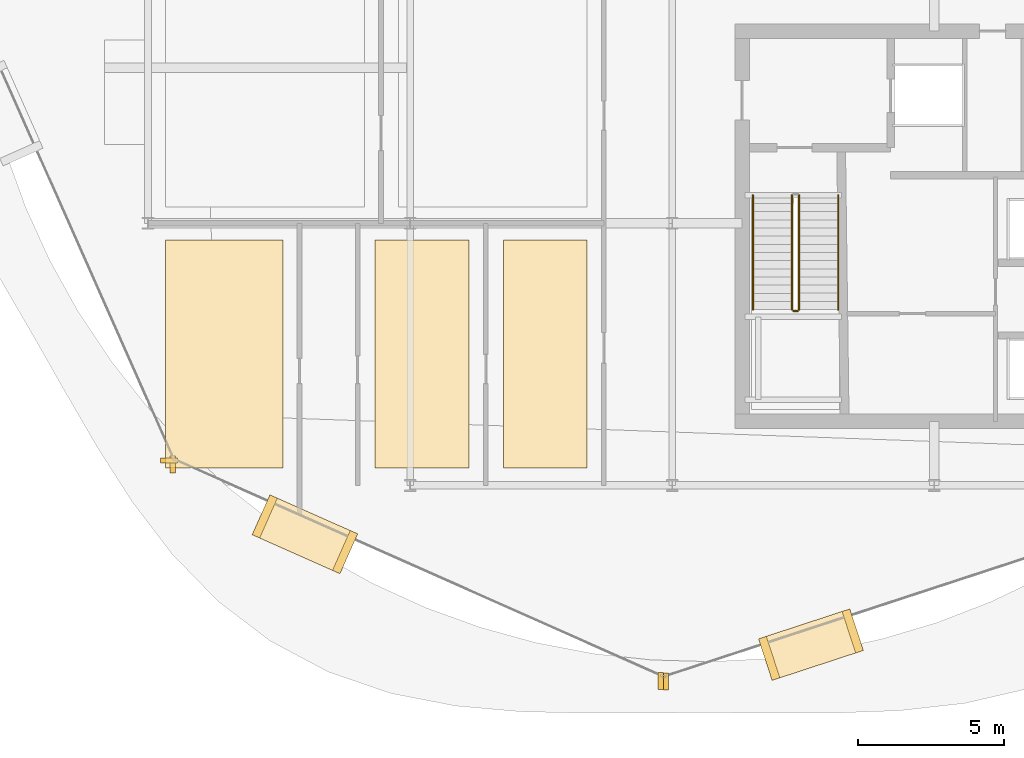
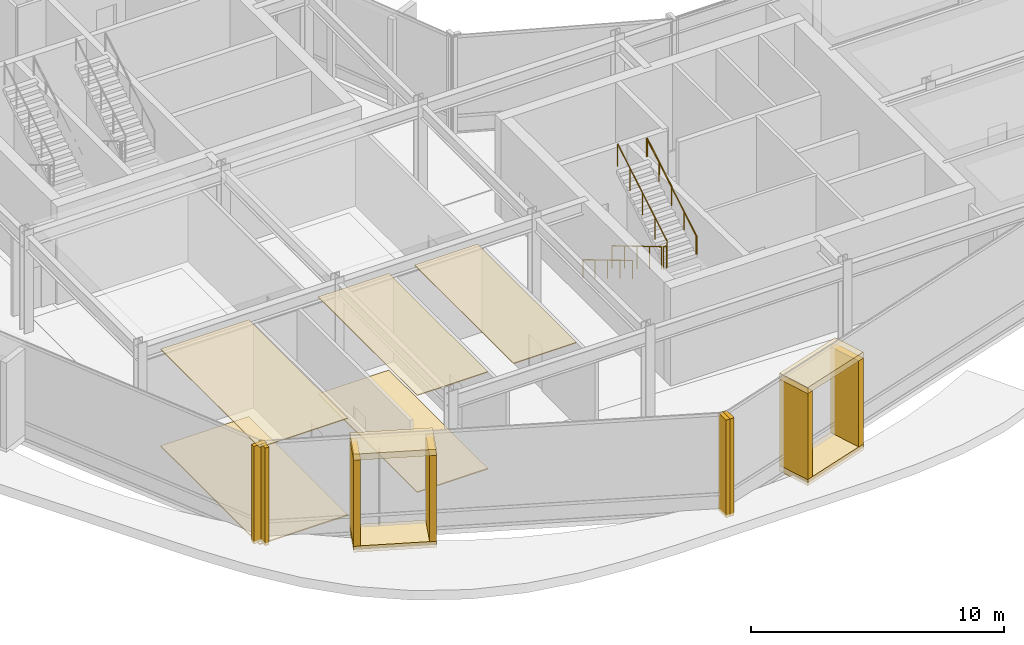
# One storey, part 23 of 28: 17 coverings, 5 railings.
"""IFC4 building model written with IfcOpenShell, lengths in metres."""

from ifc_helpers import new_model, si_unit, direction, frame, origin, origin_2d, place, context, subcontext, project, spatial, polyline, rectangle, circle, outline, extrude, material, layer, layer_set, type_object, element, save


model = new_model("IFC4")

# Units and contexts
model_context = context("Model", 3, precision=1e-05, world=origin(), true_north=direction((0.0, 1.0)))
body_context = subcontext(model_context, "Body", "Model", "MODEL_VIEW")
ifc_project = project(units=[si_unit("LENGTHUNIT", "METRE"), si_unit("AREAUNIT", "SQUARE_METRE"), si_unit("VOLUMEUNIT", "CUBIC_METRE"), si_unit("PLANEANGLEUNIT", "RADIAN"), si_unit("MASSUNIT", "GRAM", prefix="KILO")], contexts=[model_context])

# Site, building, storey
site_placement = place(None, origin())
site = spatial("IfcSite", under=ifc_project, at=site_placement, CompositionType="ELEMENT")
building_placement = place(site_placement, origin())
building = spatial("IfcBuilding", under=site, at=building_placement, Name="Solvaryn Broadcast Tower", CompositionType="ELEMENT")
storey_placement = place(building_placement, frame((0.0, 0.0, 201.199951171875)))
storey = spatial("IfcBuildingStorey", under=building, at=storey_placement, Name="L50", CompositionType="ELEMENT", Elevation=201.199951171875)

# Coverings
ifc_material_1 = material(Name="Micro-Perforated Acoustic Gypsum Ceiling", Category="concrete")
ifc_layer_1 = layer(ifc_material_1, 0.0400390625)
ifc_layer_set_1 = layer_set([ifc_layer_1], Name="CV-CEIL-ACOUSTIC")
covering_type_1 = type_object("IfcCoveringType", Name="CV-CEIL-ACOUSTIC", PredefinedType="CEILING", material=ifc_layer_set_1)
covering_1_placement = place(storey_placement, frame((0.0, 0.0, 4.679931640625)))
element("IfcCovering", 1, at=covering_1_placement, inside=storey, type_object=covering_type_1, Name="L50 Room Acoustic Ceiling 3", PredefinedType="CEILING", context=body_context, shape_type="SweptSolid", body=[
    extrude(outline(polyline([(9.60009765625, 9.60009765625), (13.6298828125, 9.60009765625), (13.6298828125, 17.429931640625), (9.60009765625, 17.429931640625), (9.60009765625, 9.60009765625)])), origin(), (0.0, 0.0, 1.0), 0.0400390625),
])
covering_2_placement = place(storey_placement, frame((0.0, 0.0, 4.679931640625)))
element("IfcCovering", 2, at=covering_2_placement, inside=storey, type_object=covering_type_1, Name="L50 Room Acoustic Ceiling 4", PredefinedType="CEILING", context=body_context, shape_type="SweptSolid", body=[
    extrude(outline(polyline([(16.800048828125, 9.60009765625), (20.030029296875, 9.60009765625), (20.030029296875, 17.429931640625), (16.800048828125, 17.429931640625), (16.800048828125, 9.60009765625)])), origin(), (0.0, 0.0, 1.0), 0.0400390625),
])
covering_3_placement = place(storey_placement, frame((0.0, 0.0, 4.679931640625)))
element("IfcCovering", 3, at=covering_3_placement, inside=storey, type_object=covering_type_1, Name="L50 Room Acoustic Ceiling 5", PredefinedType="CEILING", context=body_context, shape_type="SweptSolid", body=[
    extrude(outline(polyline([(21.199951171875, 9.60009765625), (24.080078125, 9.60009765625), (24.080078125, 17.429931640625), (21.199951171875, 17.429931640625), (21.199951171875, 9.60009765625)])), origin(), (0.0, 0.0, 1.0), 0.0400390625),
])
ifc_material_2 = material(Name="Newsroom Raised Data Access Flooring", Category="steel")
ifc_layer_2 = layer(ifc_material_2, 0.050048828125)
ifc_layer_set_2 = layer_set([ifc_layer_2], Name="CV-FLOOR-RAISED")
covering_type_2 = type_object("IfcCoveringType", Name="CV-FLOOR-RAISED", PredefinedType="FLOORING", material=ifc_layer_set_2)
covering_4_placement = place(storey_placement, origin())
element("IfcCovering", 4, at=covering_4_placement, inside=storey, type_object=covering_type_2, Name="L50 Room Acoustic Floor Finish 3", PredefinedType="FLOORING", context=body_context, shape_type="SweptSolid", body=[
    extrude(outline(polyline([(9.60009765625, 9.60009765625), (13.6298828125, 9.60009765625), (13.6298828125, 17.429931640625), (9.60009765625, 17.429931640625), (9.60009765625, 9.60009765625)])), origin(), (0.0, 0.0, 1.0), 0.050048828125),
])
covering_5_placement = place(storey_placement, origin())
element("IfcCovering", 5, at=covering_5_placement, inside=storey, type_object=covering_type_2, Name="L50 Room Acoustic Floor Finish 4", PredefinedType="FLOORING", context=body_context, shape_type="SweptSolid", body=[
    extrude(outline(polyline([(16.800048828125, 9.60009765625), (20.030029296875, 9.60009765625), (20.030029296875, 17.429931640625), (16.800048828125, 17.429931640625), (16.800048828125, 9.60009765625)])), origin(), (0.0, 0.0, 1.0), 0.050048828125),
])
ifc_material_3 = material(Name="Glazed Architectural Terracotta Rainscreen Cladding", Category="masonry")
ifc_layer_3 = layer(ifc_material_3, 0.280029296875)
ifc_layer_set_3 = layer_set([ifc_layer_3], Name="CV-TC-CLAD")
covering_type_3 = type_object("IfcCoveringType", Name="CV-TC-CLAD", PredefinedType="CLADDING", material=ifc_layer_set_3)
for number, where, z_axis, x_axis, name in (
    (6, (14.388916015625, 7.322998046875, 4.43017578125), (0.0, 0.0, 1.0), (0.913900054426, -0.405939269498, 0.0), "L50 Projecting Stone Window Box Hood 3"),
    (7, (14.388916015625, 7.322998046875, -0.009765625), (0.0, 0.0, 1.0), (0.913900054426, -0.405939269498, 0.0), "L50 Projecting Stone Window Box Sill 3"),
):
    element("IfcCovering", number, at=place(storey_placement, frame(where, z_axis=z_axis, x_axis=x_axis)), inside=storey, type_object=covering_type_3, Name=name, PredefinedType="CLADDING", context=body_context, shape_type="SweptSolid", body=[
        extrude(rectangle(XDim=3.300048828125, YDim=1.5, at=origin_2d()), origin(), (0.0, 0.0, 1.0), 0.300048828125),
    ])
for number, where, z_axis, x_axis, name in (
    (8, (13.009033203125, 7.93603515625, 0.2802734375), (0.0, 0.0, 1.0), (0.913900054426, -0.405939269498, 0.0), "L50 Projecting Stone Window Box Cheek 3-1"),
    (9, (15.76904296875, 6.7099609375, 0.2802734375), (0.0, 0.0, 1.0), (0.913900054426, -0.405939269498, 0.0), "L50 Projecting Stone Window Box Cheek 3-2"),
):
    element("IfcCovering", number, at=place(storey_placement, frame(where, z_axis=z_axis, x_axis=x_axis)), inside=storey, type_object=covering_type_3, Name=name, PredefinedType="CLADDING", context=body_context, shape_type="SweptSolid", body=[
        extrude(rectangle(XDim=0.280029296875, YDim=1.5, at=origin_2d()), origin(), (0.0, 0.0, 1.0), 4.159912109375),
    ])
for number, where, z_axis, x_axis, name in (
    (10, (31.763916015625, 3.533935546875, 4.43017578125), (0.0, 0.0, 1.0), (0.950244253402, 0.311505792684, 0.0), "L50 Projecting Stone Window Box Hood 4"),
    (11, (31.763916015625, 3.533935546875, -0.009765625), (0.0, 0.0, 1.0), (0.950244253402, 0.311505792684, 0.0), "L50 Projecting Stone Window Box Sill 4"),
):
    element("IfcCovering", number, at=place(storey_placement, frame(where, z_axis=z_axis, x_axis=x_axis)), inside=storey, type_object=covering_type_3, Name=name, PredefinedType="CLADDING", context=body_context, shape_type="SweptSolid", body=[
        extrude(rectangle(XDim=3.300048828125, YDim=1.5, at=origin_2d()), origin(), (0.0, 0.0, 1.0), 0.300048828125),
    ])
for number, where, z_axis, x_axis, name in (
    (12, (30.3291015625, 3.063720703125, 0.2802734375), (0.0, 0.0, 1.0), (0.950244253402, 0.311505792684, 0.0), "L50 Projecting Stone Window Box Cheek 4-1"),
    (13, (33.198974609375, 4.00439453125, 0.2802734375), (0.0, 0.0, 1.0), (0.950244253402, 0.311505792684, 0.0), "L50 Projecting Stone Window Box Cheek 4-2"),
):
    element("IfcCovering", number, at=place(storey_placement, frame(where, z_axis=z_axis, x_axis=x_axis)), inside=storey, type_object=covering_type_3, Name=name, PredefinedType="CLADDING", context=body_context, shape_type="SweptSolid", body=[
        extrude(rectangle(XDim=0.280029296875, YDim=1.5, at=origin_2d()), origin(), (0.0, 0.0, 1.0), 4.159912109375),
    ])
ifc_material_4 = material(Name="Extruded Architectural Terracotta Fin", Category="masonry")
ifc_layer_4 = layer(ifc_material_4, 0.179931640625)
ifc_layer_set_4 = layer_set([ifc_layer_4], Name="CV-TC-FIN")
covering_type_4 = type_object("IfcCoveringType", Name="CV-TC-FIN", PredefinedType="USERDEFINED", material=ifc_layer_set_4)
covering_6_placement = place(storey_placement, frame((9.7216796875, 9.852783203125, 0.0), z_axis=(0.0, 0.0, 1.0), x_axis=(1.0, 0.0, 0.0)))
element("IfcCovering", 14, at=covering_6_placement, inside=storey, type_object=covering_type_4, Name="L50 Terracotta Vertical Fin FIN-L50-DR2-M01", ObjectType="FIN", PredefinedType="USERDEFINED", context=body_context, shape_type="SweptSolid", body=[
    extrude(rectangle(XDim=0.580078125, YDim=0.179931640625, at=origin_2d()), origin(), (0.0, 0.0, 1.0), 4.719970703125),
])
for number, where, z_axis, x_axis, name in (
    (15, (9.852783203125, 9.7216796875, 0.0), (0.0, 0.0, 1.0), (1.0, 0.0, 0.0), "L50 Terracotta Vertical Fin FIN-L50-DR3-M00"),
    (16, (26.605712890625, 2.281005859375, 0.0), (0.0, 0.0, 1.0), (1.0, 0.0, 0.0), "L50 Terracotta Vertical Fin FIN-L50-DR3-M01"),
    (17, (26.790771484375, 2.271240234375, 0.0), (0.0, 0.0, 1.0), (1.0, 0.0, 0.0), "L50 Terracotta Vertical Fin FIN-L50-DR4-M00"),
):
    element("IfcCovering", number, at=place(storey_placement, frame(where, z_axis=z_axis, x_axis=x_axis)), inside=storey, type_object=covering_type_4, Name=name, ObjectType="FIN", PredefinedType="USERDEFINED", context=body_context, shape_type="SweptSolid", body=[
        extrude(rectangle(XDim=0.179931640625, YDim=0.580078125, at=origin_2d()), origin(), (0.0, 0.0, 1.0), 4.719970703125),
    ])

# Railings
ifc_material_5 = material(Name="Painted Steel Stair Well Guard", Category="steel")
railing_type_1 = type_object("IfcRailingType", Name="RL-STAIR-GUARD", PredefinedType="BALUSTRADE", material=ifc_material_5)
railing_1_placement = place(storey_placement, frame((31.110107421875, 18.9599609375, 0.166748046875)))
element("IfcRailing", 18, at=railing_1_placement, inside=storey, type_object=railing_type_1, Name="L50 ST3 stair guard 1", PredefinedType="BALUSTRADE", context=body_context, shape_type="SweptSolid", body=[
    extrude(circle(Radius=0.02392578125, at=origin_2d()), frame((0.0, 0.0, 1.076171875), z_axis=(0.0, -0.859296244711, 0.511478214419), x_axis=(1.0, 0.0, 0.0)), (0.0, 0.0, 1.0), 4.561767578125),
    extrude(circle(Radius=0.02099609375, at=origin_2d()), origin(), (0.0, 0.0, 1.0), 1.052001953125),
    extrude(circle(Radius=0.02099609375, at=origin_2d()), frame((0.0, -0.97998046875, 0.583251953125)), (0.0, 0.0, 1.0), 1.052001953125),
    extrude(circle(Radius=0.02099609375, at=origin_2d()), frame((0.0, -1.9599609375, 1.16650390625)), (0.0, 0.0, 1.0), 1.052001953125),
    extrude(circle(Radius=0.02099609375, at=origin_2d()), frame((0.0, -2.93994140625, 1.75)), (0.0, 0.0, 1.0), 1.052001953125),
    extrude(circle(Radius=0.02099609375, at=origin_2d()), frame((0.0, -3.919921875, 2.333251953125)), (0.0, 0.0, 1.0), 1.052001953125),
])
railing_2_placement = place(storey_placement, frame((31.159912109375, 14.989990234375, 2.5)))
element("IfcRailing", 19, at=railing_2_placement, inside=storey, type_object=railing_type_1, Name="L50 ST3 stair guard 2", PredefinedType="BALUSTRADE", context=body_context, shape_type="SweptSolid", body=[
    extrude(circle(Radius=0.02392578125, at=origin_2d()), frame((0.0, 0.0, 1.076171875), z_axis=(1.0, 0.0, 0.0), x_axis=(0.0, 1.0, 0.0)), (0.0, 0.0, 1.0), 0.150146484375),
    extrude(circle(Radius=0.02099609375, at=origin_2d()), origin(), (0.0, 0.0, 1.0), 1.052001953125),
    extrude(circle(Radius=0.02099609375, at=origin_2d()), frame((0.150146484375, 0.0, 0.0)), (0.0, 0.0, 1.0), 1.052001953125),
])
railing_3_placement = place(storey_placement, frame((31.360107421875, 15.0400390625, 2.666748046875)))
element("IfcRailing", 20, at=railing_3_placement, inside=storey, type_object=railing_type_1, Name="L50 ST3 stair guard 3", PredefinedType="BALUSTRADE", context=body_context, shape_type="SweptSolid", body=[
    extrude(circle(Radius=0.02392578125, at=origin_2d()), frame((0.0, 0.0, 1.076171875), z_axis=(0.0, 0.859296244711, 0.511478214419), x_axis=(-1.0, 0.0, 0.0)), (0.0, 0.0, 1.0), 4.561767578125),
    extrude(circle(Radius=0.02099609375, at=origin_2d()), origin(), (0.0, 0.0, 1.0), 1.052001953125),
    extrude(circle(Radius=0.02099609375, at=origin_2d()), frame((0.0, 0.97998046875, 0.583251953125)), (0.0, 0.0, 1.0), 1.052001953125),
    extrude(circle(Radius=0.02099609375, at=origin_2d()), frame((0.0, 1.9599609375, 1.16650390625)), (0.0, 0.0, 1.0), 1.052001953125),
    extrude(circle(Radius=0.02099609375, at=origin_2d()), frame((0.0, 2.93994140625, 1.75)), (0.0, 0.0, 1.0), 1.052001953125),
    extrude(circle(Radius=0.02099609375, at=origin_2d()), frame((0.0, 3.919921875, 2.333251953125)), (0.0, 0.0, 1.0), 1.052001953125),
])
ifc_material_6 = material(Name="Brushed Stainless Steel Tubular Handrail", Category="steel")
railing_type_2 = type_object("IfcRailingType", Name="RL-STAIR-HANDRAIL", PredefinedType="HANDRAIL", material=ifc_material_6)
railing_4_placement = place(storey_placement, frame((29.77001953125, 18.9599609375, 0.166748046875)))
element("IfcRailing", 21, at=railing_4_placement, inside=storey, type_object=railing_type_2, Name="L50 ST3 stair handrail 1", PredefinedType="HANDRAIL", context=body_context, shape_type="SweptSolid", body=[
    extrude(circle(Radius=0.02392578125, at=origin_2d()), frame((0.0, 0.0, 0.8759765625), z_axis=(0.0, -0.859296244711, 0.511478214419), x_axis=(1.0, 0.0, 0.0)), (0.0, 0.0, 1.0), 4.561767578125),
    extrude(circle(Radius=0.02099609375, at=origin_2d()), origin(), (0.0, 0.0, 1.0), 0.851806640625),
    extrude(circle(Radius=0.02099609375, at=origin_2d()), frame((0.0, -0.97998046875, 0.583251953125)), (0.0, 0.0, 1.0), 0.851806640625),
    extrude(circle(Radius=0.02099609375, at=origin_2d()), frame((0.0, -1.9599609375, 1.16650390625)), (0.0, 0.0, 1.0), 0.851806640625),
    extrude(circle(Radius=0.02099609375, at=origin_2d()), frame((0.0, -2.93994140625, 1.75)), (0.0, 0.0, 1.0), 0.851806640625),
    extrude(circle(Radius=0.02099609375, at=origin_2d()), frame((0.0, -3.919921875, 2.333251953125)), (0.0, 0.0, 1.0), 0.851806640625),
])
railing_5_placement = place(storey_placement, frame((32.699951171875, 15.0400390625, 2.666748046875)))
element("IfcRailing", 22, at=railing_5_placement, inside=storey, type_object=railing_type_2, Name="L50 ST3 stair handrail 2", PredefinedType="HANDRAIL", context=body_context, shape_type="SweptSolid", body=[
    extrude(circle(Radius=0.02392578125, at=origin_2d()), frame((0.0, 0.0, 0.8759765625), z_axis=(0.0, 0.859296244711, 0.511478214419), x_axis=(-1.0, 0.0, 0.0)), (0.0, 0.0, 1.0), 4.561767578125),
    extrude(circle(Radius=0.02099609375, at=origin_2d()), origin(), (0.0, 0.0, 1.0), 0.851806640625),
    extrude(circle(Radius=0.02099609375, at=origin_2d()), frame((0.0, 0.97998046875, 0.583251953125)), (0.0, 0.0, 1.0), 0.851806640625),
    extrude(circle(Radius=0.02099609375, at=origin_2d()), frame((0.0, 1.9599609375, 1.16650390625)), (0.0, 0.0, 1.0), 0.851806640625),
    extrude(circle(Radius=0.02099609375, at=origin_2d()), frame((0.0, 2.93994140625, 1.75)), (0.0, 0.0, 1.0), 0.851806640625),
    extrude(circle(Radius=0.02099609375, at=origin_2d()), frame((0.0, 3.919921875, 2.333251953125)), (0.0, 0.0, 1.0), 0.851806640625),
])

save(model, "model.ifc")
